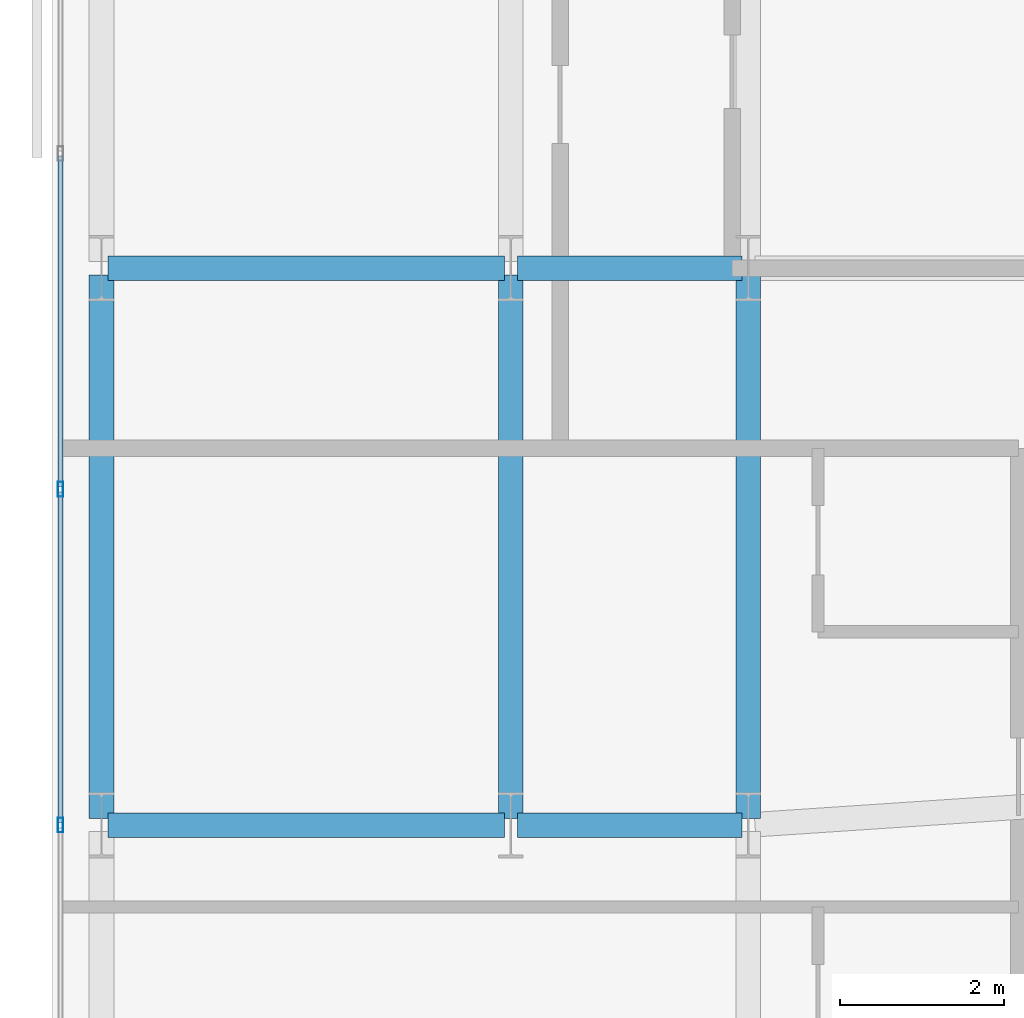
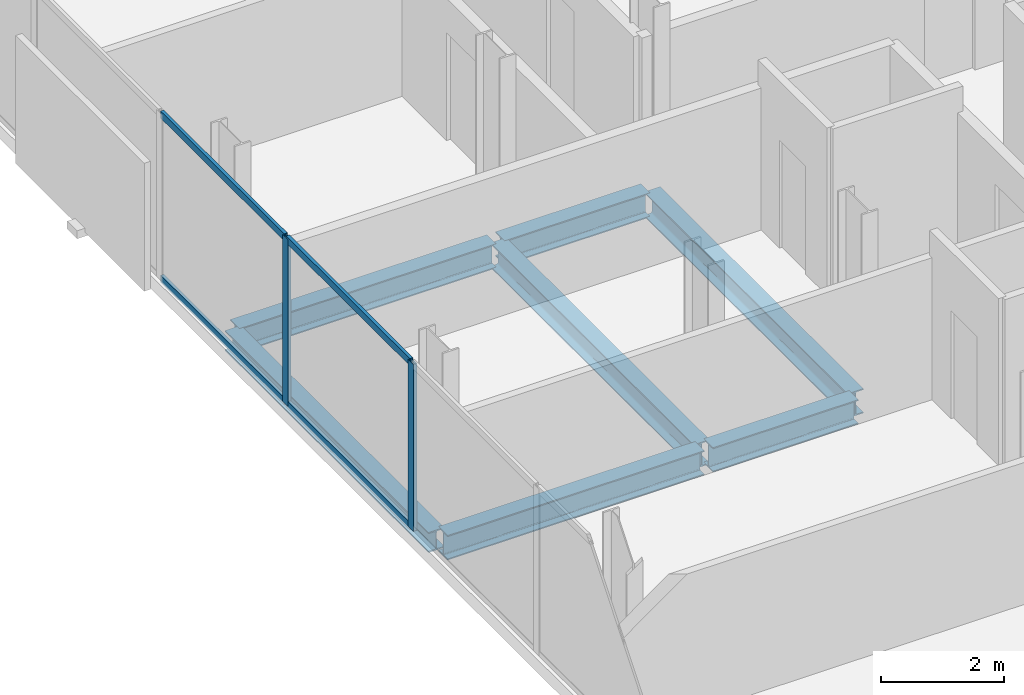
# One storey, part 11 of 33: 7 beams, 6 members, 1 element without a shape of its own.
"""IFC4 building model written with IfcOpenShell, lengths in metres."""

from ifc_helpers import new_model, si_unit, direction, frame, origin, origin_2d, place, context, subcontext, project, spatial, hollow_rectangle, i_section, extrude, material, layer, layer_set, material_profile, profile_set, type_object, element, aggregate, save


model = new_model("IFC4")

# Units and contexts
model_context = context("Model", 3, precision=1e-05, world=origin(), true_north=direction((0.0, 1.0)))
body_context = subcontext(model_context, "Body", "Model", "MODEL_VIEW")
ifc_project = project(units=[si_unit("LENGTHUNIT", "METRE"), si_unit("AREAUNIT", "SQUARE_METRE"), si_unit("VOLUMEUNIT", "CUBIC_METRE"), si_unit("PLANEANGLEUNIT", "RADIAN"), si_unit("MASSUNIT", "GRAM", prefix="KILO")], contexts=[model_context])

# Site, building, storey
site_placement = place(None, origin())
site = spatial("IfcSite", under=ifc_project, at=site_placement, CompositionType="ELEMENT")
building_placement = place(site_placement, origin())
building = spatial("IfcBuilding", under=site, at=building_placement, Name="Catumbela Crestline Tower", CompositionType="ELEMENT")
storey_placement = place(building_placement, frame((0.0, 0.0, 72.6)))
storey = spatial("IfcBuildingStorey", under=building, at=storey_placement, Name="L18", CompositionType="ELEMENT", Elevation=72.6)

# Beams
ifc_material_1 = material(Name="Structural steel S355J2", Category="steel")
ifc_material_profile_1 = material_profile(ifc_material_1, i_section(OverallWidth=0.3, OverallDepth=0.49, WebThickness=0.012, FlangeThickness=0.023, FilletRadius=0.027, at=origin_2d()), Name="HEA 500")
ifc_profile_set_1 = profile_set([ifc_material_profile_1], Name="Structural steel S355J2")
beam_type_1 = type_object("IfcBeamType", Name="BG-HEA500", PredefinedType="BEAM", material=ifc_profile_set_1)
beam_1_placement = place(storey_placement, frame((0.68, 24.0, -0.505), z_axis=(1.0, 0.0, 0.0), x_axis=(0.0, 1.0, 0.0)))
element("IfcBeam", 1, at=beam_1_placement, inside=storey, type_object=beam_type_1, Name="L18 Beam BM-L18-S01", PredefinedType="BEAM", context=body_context, shape_type="SweptSolid", body=[
    extrude(i_section(OverallWidth=0.3, OverallDepth=0.49, WebThickness=0.012, FlangeThickness=0.023, FilletRadius=0.027, at=origin_2d()), origin(), (0.0, 0.0, 1.0), 4.84),
])
beam_2_placement = place(storey_placement, frame((5.68, 24.0, -0.505), z_axis=(1.0, 0.0, 0.0), x_axis=(0.0, 1.0, 0.0)))
element("IfcBeam", 2, at=beam_2_placement, inside=storey, type_object=beam_type_1, Name="L18 Beam BM-L18-S02", PredefinedType="BEAM", context=body_context, shape_type="SweptSolid", body=[
    extrude(i_section(OverallWidth=0.3, OverallDepth=0.49, WebThickness=0.012, FlangeThickness=0.023, FilletRadius=0.027, at=origin_2d()), origin(), (0.0, 0.0, 1.0), 2.74),
])
beam_3_placement = place(storey_placement, frame((0.68, 30.8, -0.505), z_axis=(1.0, 0.0, 0.0), x_axis=(0.0, 1.0, 0.0)))
element("IfcBeam", 3, at=beam_3_placement, inside=storey, type_object=beam_type_1, Name="L18 Beam BM-L18-M07", PredefinedType="BEAM", context=body_context, shape_type="SweptSolid", body=[
    extrude(i_section(OverallWidth=0.3, OverallDepth=0.49, WebThickness=0.012, FlangeThickness=0.023, FilletRadius=0.027, at=origin_2d()), origin(), (0.0, 0.0, 1.0), 4.84),
])
beam_4_placement = place(storey_placement, frame((5.68, 30.8, -0.505), z_axis=(1.0, 0.0, 0.0), x_axis=(0.0, 1.0, 0.0)))
element("IfcBeam", 4, at=beam_4_placement, inside=storey, type_object=beam_type_1, Name="L18 Beam BM-L18-M08", PredefinedType="BEAM", context=body_context, shape_type="SweptSolid", body=[
    extrude(i_section(OverallWidth=0.3, OverallDepth=0.49, WebThickness=0.012, FlangeThickness=0.023, FilletRadius=0.027, at=origin_2d()), origin(), (0.0, 0.0, 1.0), 2.74),
])
for number, where, z_axis, x_axis, name in (
    (5, (5.6, 24.08, -0.505), (0.0, 1.0, 0.0), (-1.0, 0.0, 0.0), "L18 Beam BM-L18-SN27"),
    (6, (8.5, 24.08, -0.505), (0.0, 1.0, 0.0), (-1.0, 0.0, 0.0), "L18 Beam BM-L18-SN29"),
):
    element("IfcBeam", number, at=place(storey_placement, frame(where, z_axis=z_axis, x_axis=x_axis)), inside=storey, type_object=beam_type_1, Name=name, PredefinedType="BEAM", context=body_context, shape_type="SweptSolid", body=[
        extrude(i_section(OverallWidth=0.3, OverallDepth=0.49, WebThickness=0.012, FlangeThickness=0.023, FilletRadius=0.027, at=origin_2d()), origin(), (0.0, 0.0, 1.0), 6.64),
    ])

# Curtain wall, members
ifc_material_2 = material(Name="Aluminium alloy AW-6060-T66", Category="aluminium")
ifc_layer = layer(ifc_material_2, 0.18, Name="Aluminium alloy AW-6060-T66")
ifc_layer_set = layer_set([ifc_layer], Name="Aluminium alloy AW-6060-T66")
curtain_wall_type = type_object("IfcCurtainWallType", Name="CWU-Z1", PredefinedType="USERDEFINED", material=ifc_layer_set)
curtain_wall_placement = place(storey_placement, origin())
curtain_wall = element("IfcCurtainWall", 7, at=curtain_wall_placement, inside=storey, type_object=curtain_wall_type, Name="L18 Unitised Curtain Wall CW-L18-E9S1", ObjectType="UNITISED", PredefinedType="USERDEFINED")
ifc_material_profile_2 = material_profile(ifc_material_2, hollow_rectangle(XDim=0.065, YDim=0.18, WallThickness=0.004, at=origin_2d()), Name="ALU 180x65x4")
ifc_profile_set_2 = profile_set([ifc_material_profile_2], Name="Aluminium alloy AW-6060-T66")
member_type_1 = type_object("IfcMemberType", Name="MUL-180X65", PredefinedType="MULLION", material=ifc_profile_set_2)
member_1_placement = place(storey_placement, frame((0.1, 28.1, 0.0), z_axis=(0.0, 0.0, 1.0), x_axis=(1.0, 0.0, 0.0)))
member_1 = element("IfcMember", 8, at=member_1_placement, type_object=member_type_1, Name="CWU-Z1 mullion 5", PredefinedType="MULLION", context=body_context, shape_type="SweptSolid", body=[
    extrude(hollow_rectangle(XDim=0.065, YDim=0.18, WallThickness=0.004, at=origin_2d()), origin(), (0.0, 0.0, 1.0), 3.33),
])
member_2_placement = place(storey_placement, frame((0.1, 24.0, 0.0), z_axis=(0.0, 0.0, 1.0), x_axis=(1.0, 0.0, 0.0)))
member_2 = element("IfcMember", 9, at=member_2_placement, type_object=member_type_1, Name="CWU-Z1 mullion 6", PredefinedType="MULLION", context=body_context, shape_type="SweptSolid", body=[
    extrude(hollow_rectangle(XDim=0.065, YDim=0.18, WallThickness=0.004, at=origin_2d()), origin(), (0.0, 0.0, 1.0), 3.33),
])

# Beam
ifc_material_profile_3 = material_profile(ifc_material_1, i_section(OverallWidth=0.3, OverallDepth=0.4, WebThickness=0.0135, FlangeThickness=0.024, FilletRadius=0.027, at=origin_2d()), Name="HEB 400")
ifc_profile_set_3 = profile_set([ifc_material_profile_3], Name="Structural steel S355J2")
beam_type_2 = type_object("IfcBeamType", Name="BS-HEB400", PredefinedType="SPANDREL", material=ifc_profile_set_3)
beam_5_placement = place(storey_placement, frame((0.6, 24.08, -0.46), z_axis=(0.0, 1.0, 0.0), x_axis=(-1.0, 0.0, 0.0)))
element("IfcBeam", 10, at=beam_5_placement, inside=storey, type_object=beam_type_2, Name="L18 Spandrel SP-L18-SN25", PredefinedType="SPANDREL", context=body_context, shape_type="SweptSolid", body=[
    extrude(i_section(OverallWidth=0.3, OverallDepth=0.4, WebThickness=0.0135, FlangeThickness=0.024, FilletRadius=0.027, at=origin_2d()), origin(), (0.0, 0.0, 1.0), 6.64),
])

# Member
ifc_material_profile_4 = material_profile(ifc_material_2, hollow_rectangle(XDim=0.06, YDim=0.14, WallThickness=0.004, at=origin_2d()), Name="ALU 140x60x4")
ifc_profile_set_4 = profile_set([ifc_material_profile_4], Name="Aluminium alloy AW-6060-T66")
member_type_2 = type_object("IfcMemberType", Name="TRN-140X60", PredefinedType="USERDEFINED", material=ifc_profile_set_4)
member_3_placement = place(storey_placement, frame((0.1, 32.1675, 0.03), z_axis=(0.0, -1.0, 0.0), x_axis=(1.0, 0.0, 0.0)))
member_3 = element("IfcMember", 11, at=member_3_placement, type_object=member_type_2, Name="CWU-Z1 transom 4.1", ObjectType="TRANSOM", PredefinedType="USERDEFINED", context=body_context, shape_type="SweptSolid", body=[
    extrude(hollow_rectangle(XDim=0.06, YDim=0.14, WallThickness=0.004, at=origin_2d()), origin(), (0.0, 0.0, 1.0), 4.035),
])

member_4_placement = place(storey_placement, frame((0.1, 32.1675, 3.3), z_axis=(0.0, -1.0, 0.0), x_axis=(1.0, 0.0, 0.0)))
member_4 = element("IfcMember", 12, at=member_4_placement, type_object=member_type_2, Name="CWU-Z1 transom 4.2", ObjectType="TRANSOM", PredefinedType="USERDEFINED", context=body_context, shape_type="SweptSolid", body=[
    extrude(hollow_rectangle(XDim=0.06, YDim=0.14, WallThickness=0.004, at=origin_2d()), origin(), (0.0, 0.0, 1.0), 4.035),
])

member_5_placement = place(storey_placement, frame((0.1, 28.0675, 0.03), z_axis=(0.0, -1.0, 0.0), x_axis=(1.0, 0.0, 0.0)))
member_5 = element("IfcMember", 13, at=member_5_placement, type_object=member_type_2, Name="CWU-Z1 transom 5.1", ObjectType="TRANSOM", PredefinedType="USERDEFINED", context=body_context, shape_type="SweptSolid", body=[
    extrude(hollow_rectangle(XDim=0.06, YDim=0.14, WallThickness=0.004, at=origin_2d()), origin(), (0.0, 0.0, 1.0), 4.035),
])

member_6_placement = place(storey_placement, frame((0.1, 28.0675, 3.3), z_axis=(0.0, -1.0, 0.0), x_axis=(1.0, 0.0, 0.0)))
member_6 = element("IfcMember", 14, at=member_6_placement, type_object=member_type_2, Name="CWU-Z1 transom 5.2", ObjectType="TRANSOM", PredefinedType="USERDEFINED", context=body_context, shape_type="SweptSolid", body=[
    extrude(hollow_rectangle(XDim=0.06, YDim=0.14, WallThickness=0.004, at=origin_2d()), origin(), (0.0, 0.0, 1.0), 4.035),
])

aggregate(curtain_wall, [member_1, member_2, member_3, member_4, member_5, member_6])

save(model, "model.ifc")
